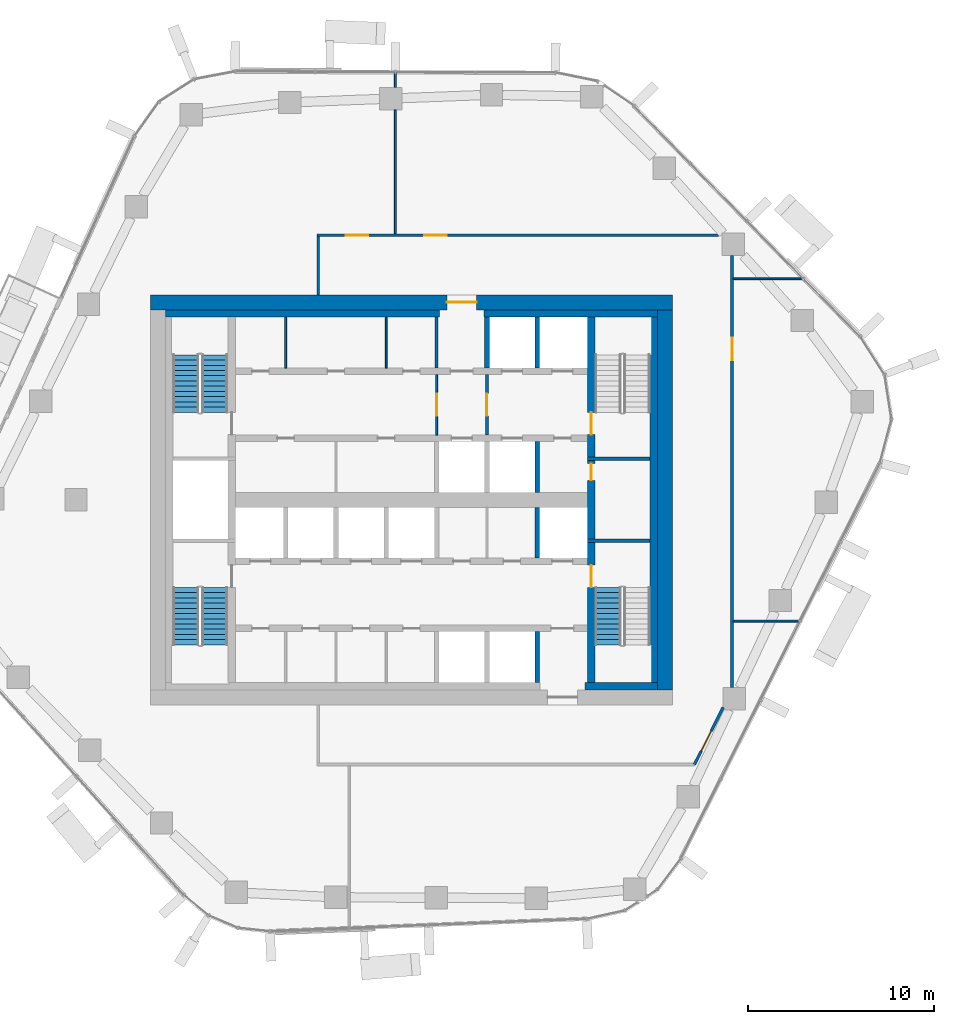
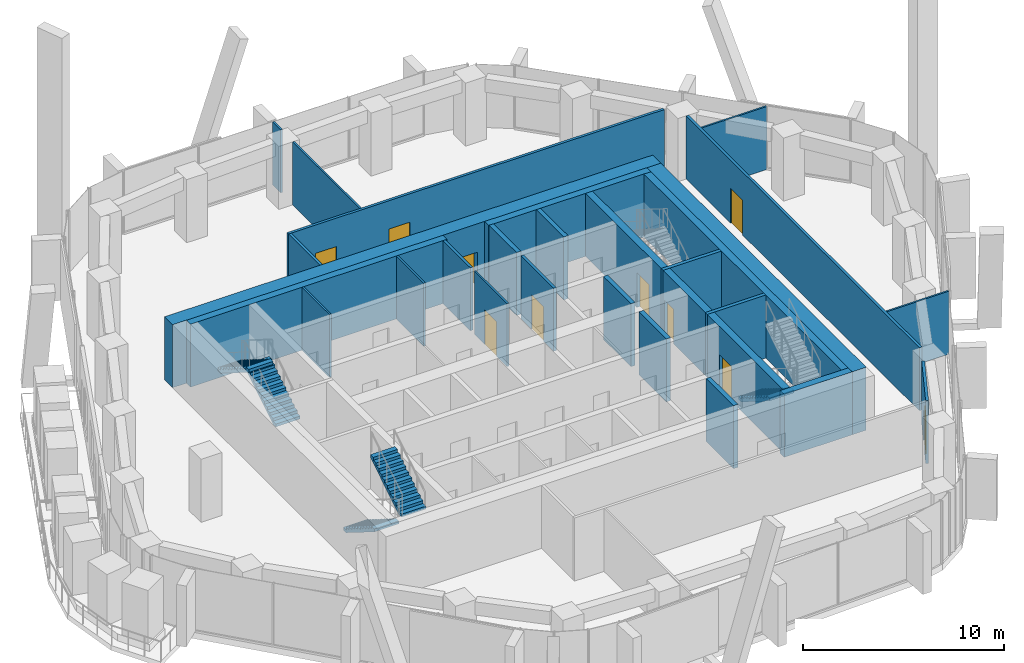
# One storey, part 13 of 19: 29 walls, 10 doors, 5 stair flights, 10 openings, 3 elements without a shape of their own.
"""IFC4 building model written with IfcOpenShell, lengths in metres."""

from ifc_helpers import new_model, si_unit, direction, frame, frame_2d, origin, place, context, subcontext, project, spatial, polyline, rectangle, outline, extrude, material, layer, layer_set, type_object, element, fill, aggregate, save


model = new_model("IFC4")

# Units and contexts
model_context = context("Model", 3, precision=1e-05, world=origin(), true_north=direction((0.0, 1.0)))
body_context = subcontext(model_context, "Body", "Model", "MODEL_VIEW")
ifc_project = project(units=[si_unit("LENGTHUNIT", "METRE"), si_unit("AREAUNIT", "SQUARE_METRE"), si_unit("VOLUMEUNIT", "CUBIC_METRE"), si_unit("PLANEANGLEUNIT", "RADIAN"), si_unit("MASSUNIT", "GRAM", prefix="KILO")], contexts=[model_context])

# Site, building, storey
site_placement = place(None, origin())
site = spatial("IfcSite", under=ifc_project, at=site_placement, CompositionType="ELEMENT")
building_placement = place(site_placement, origin())
building = spatial("IfcBuilding", under=site, at=building_placement, Name="Dongbaek Canopy Tower", CompositionType="ELEMENT")
storey_placement = place(building_placement, frame((0.0, 0.0, 198.800048828125)))
storey = spatial("IfcBuildingStorey", under=building, at=storey_placement, Name="L41", CompositionType="ELEMENT", Elevation=198.800048828125)

# Wall, opening, door
ifc_material_1 = material(Name="Concrete C70/85", Category="concrete")
ifc_layer_1 = layer(ifc_material_1, 0.800048828125)
ifc_layer_set_1 = layer_set([ifc_layer_1], Name="Core outer wall 800 Concrete C70/85")
wall_type_1 = type_object("IfcWallType", Name="Core outer wall 800 Concrete C70/85", PredefinedType="SHEAR", material=ifc_layer_set_1)
wall_1_placement = place(storey_placement, frame((-14.0, 10.60009765625, 0.0), z_axis=(0.0, 0.0, 1.0), x_axis=(1.0, 0.0, 0.0)))
wall_1 = element("IfcWall", 1, at=wall_1_placement, inside=storey, type_object=wall_type_1, Name="Core wall", PredefinedType="SHEAR", context=body_context, shape_type="SweptSolid", body=[
    extrude(rectangle(XDim=28.0, YDim=0.800048828125, at=frame_2d((14.0, 0.0))), origin(), (0.0, 0.0, 1.0), 3.820068359375),
])
opening_1_placement = place(wall_1_placement, frame((15.89990234375, 0.0, 0.0)))
opening_1 = element("IfcOpeningElement", 2, at=opening_1_placement, cuts=wall_1, Name="Opening L41-D006", PredefinedType="OPENING", context=body_context, shape_type="SweptSolid", body=[
    extrude(rectangle(XDim=1.60009765625, YDim=2.10009765625, at=frame_2d((0.800048828125, 1.050048828125))), frame((0.0, 0.409912109375, 0.0), z_axis=(0.0, -1.0, 0.0), x_axis=(1.0, 0.0, 0.0)), (0.0, 0.0, 1.0), 0.820068359375),
])
ifc_material_2 = material(Name="Steel", Category="steel")
door_type_1 = type_object("IfcDoorType", Name="Core exit door 1600 x 2100", OperationType="DOUBLE_DOOR_SINGLE_SWING", PredefinedType="DOOR", material=ifc_material_2)
door_1_placement = place(opening_1_placement, origin())
door_1 = element("IfcDoor", 3, at=door_1_placement, inside=storey, type_object=door_type_1, Name="Core exit door", OperationType="DOUBLE_DOOR_SINGLE_SWING", OverallHeight=2.10009765625, OverallWidth=1.60009765625, PredefinedType="DOOR", context=body_context, shape_type="SweptSolid", body=[
    extrude(rectangle(XDim=1.60009765625, YDim=2.10009765625, at=frame_2d((0.800048828125, 1.050048828125))), frame((0.0, 0.02490234375, 0.0), z_axis=(0.0, -1.0, 0.0), x_axis=(1.0, 0.0, 0.0)), (0.0, 0.0, 1.0), 0.050048828125),
])
fill(opening_1, door_1)

# Walls
wall_2_placement = place(storey_placement, frame((13.60009765625, 10.199951171875, 0.0), z_axis=(0.0, 0.0, 1.0), x_axis=(0.0, -1.0, 0.0)))
element("IfcWall", 4, at=wall_2_placement, inside=storey, type_object=wall_type_1, Name="Core wall", PredefinedType="SHEAR", context=body_context, shape_type="SweptSolid", body=[
    extrude(rectangle(XDim=20.39990234375, YDim=0.800048828125, at=frame_2d((10.199951171875, 0.0))), origin(), (0.0, 0.0, 1.0), 3.820068359375),
])
ifc_material_3 = material(Name="Concrete C60/75", Category="concrete")
ifc_layer_2 = layer(ifc_material_3, 0.39990234375)
ifc_layer_set_2 = layer_set([ifc_layer_2], Name="Core wall lining 400 Concrete C60/75")
wall_type_2 = type_object("IfcWallType", Name="Core wall lining 400 Concrete C60/75", PredefinedType="SHEAR", material=ifc_layer_set_2)
wall_3_placement = place(storey_placement, frame((-13.199951171875, 10.0, 0.0), z_axis=(0.0, 0.0, 1.0), x_axis=(1.0, 0.0, 0.0)))
element("IfcWall", 5, at=wall_3_placement, inside=storey, type_object=wall_type_2, Name="Core wall lining", PredefinedType="SHEAR", context=body_context, shape_type="SweptSolid", body=[
    extrude(rectangle(XDim=14.699951171875, YDim=0.39990234375, at=frame_2d((7.35009765625, 0.0))), origin(), (0.0, 0.0, 1.0), 3.820068359375),
])
wall_4_placement = place(storey_placement, frame((3.89990234375, 10.0, 0.0), z_axis=(0.0, 0.0, 1.0), x_axis=(1.0, 0.0, 0.0)))
element("IfcWall", 6, at=wall_4_placement, inside=storey, type_object=wall_type_2, Name="Core wall lining", PredefinedType="SHEAR", context=body_context, shape_type="SweptSolid", body=[
    extrude(rectangle(XDim=9.300048828125, YDim=0.39990234375, at=frame_2d((4.64990234375, 0.0))), origin(), (0.0, 0.0, 1.0), 3.820068359375),
])
wall_5_placement = place(storey_placement, frame((13.199951171875, -10.0, 0.0), z_axis=(0.0, 0.0, 1.0), x_axis=(-1.0, 0.0, 0.0)))
element("IfcWall", 7, at=wall_5_placement, inside=storey, type_object=wall_type_2, Name="Core wall lining", PredefinedType="SHEAR", context=body_context, shape_type="SweptSolid", body=[
    extrude(rectangle(XDim=3.89990234375, YDim=0.39990234375, at=frame_2d((1.949951171875, 0.0))), origin(), (0.0, 0.0, 1.0), 3.820068359375),
])
wall_6_placement = place(storey_placement, frame((13.0, 9.800048828125, 0.0), z_axis=(0.0, 0.0, 1.0), x_axis=(0.0, -1.0, 0.0)))
element("IfcWall", 8, at=wall_6_placement, inside=storey, type_object=wall_type_2, Name="Core wall lining", PredefinedType="SHEAR", context=body_context, shape_type="SweptSolid", body=[
    extrude(rectangle(XDim=19.60009765625, YDim=0.39990234375, at=frame_2d((9.800048828125, 0.0))), origin(), (0.0, 0.0, 1.0), 3.820068359375),
])

# Wall, openings, doors
ifc_material_4 = material(Name="Gypsum board partition, steel stud, 2 x 15 mm fire board", Category="steel")
ifc_layer_3 = layer(ifc_material_4, 0.14990234375)
ifc_layer_set_3 = layer_set([ifc_layer_3], Name="Fire-rated partition 150 gypsum board")
wall_type_3 = type_object("IfcWallType", Name="Fire-rated partition 150 gypsum board", PredefinedType="PARTITIONING", material=ifc_layer_set_3)
wall_7_placement = place(storey_placement, frame((-5.074951171875, 14.199951171875, 0.0), z_axis=(0.0, 0.0, 1.0), x_axis=(1.0, 0.0, 0.0)))
wall_7 = element("IfcWall", 9, at=wall_7_placement, inside=storey, type_object=wall_type_3, Name="Corridor partition", PredefinedType="PARTITIONING", context=body_context, shape_type="SweptSolid", body=[
    extrude(rectangle(XDim=21.551025390625, YDim=0.14990234375, at=frame_2d((10.775390625, 0.0))), origin(), (0.0, 0.0, 1.0), 3.820068359375),
])
opening_2_placement = place(wall_7_placement, frame((5.763916015625, 0.0, 0.0)))
opening_2 = element("IfcOpeningElement", 10, at=opening_2_placement, cuts=wall_7, Name="Opening L41-D003", PredefinedType="OPENING", context=body_context, shape_type="SweptSolid", body=[
    extrude(rectangle(XDim=1.199951171875, YDim=2.10009765625, at=frame_2d((0.60009765625, 1.050048828125))), frame((0.0, 0.0849609375, 0.0), z_axis=(0.0, -1.0, 0.0), x_axis=(1.0, 0.0, 0.0)), (0.0, 0.0, 1.0), 0.169921875),
])
opening_3_placement = place(wall_7_placement, frame((1.544677734375, 0.0, 0.0)))
opening_3 = element("IfcOpeningElement", 11, at=opening_3_placement, cuts=wall_7, Name="Opening L41-D004", PredefinedType="OPENING", context=body_context, shape_type="SweptSolid", body=[
    extrude(rectangle(XDim=1.199951171875, YDim=2.10009765625, at=frame_2d((0.60009765625, 1.050048828125))), frame((0.0, 0.0849609375, 0.0), z_axis=(0.0, -1.0, 0.0), x_axis=(1.0, 0.0, 0.0)), (0.0, 0.0, 1.0), 0.169921875),
])
ifc_material_5 = material(Name="Timber veneered door leaf", Category="wood")
door_type_2 = type_object("IfcDoorType", Name="Room door 1200 x 2100", OperationType="SINGLE_SWING_LEFT", PredefinedType="DOOR", material=ifc_material_5)
door_2_placement = place(opening_2_placement, origin())
door_2 = element("IfcDoor", 12, at=door_2_placement, inside=storey, type_object=door_type_2, Name="Door L41-D003", OperationType="SINGLE_SWING_RIGHT", OverallHeight=2.10009765625, OverallWidth=1.199951171875, PredefinedType="DOOR", context=body_context, shape_type="SweptSolid", body=[
    extrude(rectangle(XDim=1.199951171875, YDim=2.10009765625, at=frame_2d((0.60009765625, 1.050048828125))), frame((0.0, 0.02490234375, 0.0), z_axis=(0.0, -1.0, 0.0), x_axis=(1.0, 0.0, 0.0)), (0.0, 0.0, 1.0), 0.050048828125),
])
fill(opening_2, door_2)
door_3_placement = place(opening_3_placement, origin())
door_3 = element("IfcDoor", 13, at=door_3_placement, inside=storey, type_object=door_type_2, Name="Door L41-D004", OperationType="SINGLE_SWING_LEFT", OverallHeight=2.10009765625, OverallWidth=1.199951171875, PredefinedType="DOOR", context=body_context, shape_type="SweptSolid", body=[
    extrude(rectangle(XDim=1.199951171875, YDim=2.10009765625, at=frame_2d((0.60009765625, 1.050048828125))), frame((0.0, 0.02490234375, 0.0), z_axis=(0.0, -1.0, 0.0), x_axis=(1.0, 0.0, 0.0)), (0.0, 0.0, 1.0), 0.050048828125),
])
fill(opening_3, door_3)

# Wall, opening, door
wall_8_placement = place(storey_placement, frame((16.721923828125, -11.135986328125, 0.0), z_axis=(0.0, 0.0, 1.0), x_axis=(-0.449461267312, -0.893299820433, 0.0)))
wall_8 = element("IfcWall", 14, at=wall_8_placement, inside=storey, type_object=wall_type_3, Name="Corridor partition", PredefinedType="PARTITIONING", context=body_context, shape_type="SweptSolid", body=[
    extrude(rectangle(XDim=3.43017578125, YDim=0.14990234375, at=frame_2d((1.715087890625, 0.0))), origin(), (0.0, 0.0, 1.0), 3.820068359375),
])
opening_4_placement = place(wall_8_placement, frame((1.42138671875, 0.0, 0.0)))
opening_4 = element("IfcOpeningElement", 15, at=opening_4_placement, cuts=wall_8, Name="Opening L41-D001", PredefinedType="OPENING", context=body_context, shape_type="SweptSolid", body=[
    extrude(rectangle(XDim=1.199951171875, YDim=2.10009765625, at=frame_2d((0.60009765625, 1.050048828125))), frame((0.0, 0.0849609375, 0.0), z_axis=(0.0, -1.0, 0.0), x_axis=(1.0, 0.0, 0.0)), (0.0, 0.0, 1.0), 0.169921875),
])
door_4_placement = place(opening_4_placement, origin())
door_4 = element("IfcDoor", 16, at=door_4_placement, inside=storey, type_object=door_type_2, Name="Door L41-D001", OperationType="SINGLE_SWING_RIGHT", OverallHeight=2.10009765625, OverallWidth=1.199951171875, PredefinedType="DOOR", context=body_context, shape_type="SweptSolid", body=[
    extrude(rectangle(XDim=1.199951171875, YDim=2.10009765625, at=frame_2d((0.60009765625, 1.050048828125))), frame((0.0, 0.02490234375, 0.0), z_axis=(0.0, -1.0, 0.0), x_axis=(1.0, 0.0, 0.0)), (0.0, 0.0, 1.0), 0.050048828125),
])
fill(opening_4, door_4)

wall_9_placement = place(storey_placement, frame((17.199951171875, 13.10595703125, 0.0), z_axis=(0.0, 0.0, 1.0), x_axis=(0.0, -1.0, 0.0)))
wall_9 = element("IfcWall", 17, at=wall_9_placement, inside=storey, type_object=wall_type_3, Name="Corridor partition", PredefinedType="PARTITIONING", context=body_context, shape_type="SweptSolid", body=[
    extrude(rectangle(XDim=23.171875, YDim=0.14990234375, at=frame_2d((11.5859375, 0.0))), origin(), (0.0, 0.0, 1.0), 3.820068359375),
])
opening_5_placement = place(wall_9_placement, frame((4.41162109375, 0.0, 0.0)))
opening_5 = element("IfcOpeningElement", 18, at=opening_5_placement, cuts=wall_9, Name="Opening L41-D002", PredefinedType="OPENING", context=body_context, shape_type="SweptSolid", body=[
    extrude(rectangle(XDim=1.199951171875, YDim=2.10009765625, at=frame_2d((0.60009765625, 1.050048828125))), frame((0.0, 0.0849609375, 0.0), z_axis=(0.0, -1.0, 0.0), x_axis=(1.0, 0.0, 0.0)), (0.0, 0.0, 1.0), 0.169921875),
])
door_5_placement = place(opening_5_placement, origin())
door_5 = element("IfcDoor", 19, at=door_5_placement, inside=storey, type_object=door_type_2, Name="Door L41-D002", OperationType="SINGLE_SWING_LEFT", OverallHeight=2.10009765625, OverallWidth=1.199951171875, PredefinedType="DOOR", context=body_context, shape_type="SweptSolid", body=[
    extrude(rectangle(XDim=1.199951171875, YDim=2.10009765625, at=frame_2d((0.60009765625, 1.050048828125))), frame((0.0, 0.02490234375, 0.0), z_axis=(0.0, -1.0, 0.0), x_axis=(1.0, 0.0, 0.0)), (0.0, 0.0, 1.0), 0.050048828125),
])
fill(opening_5, door_5)

# Wall
wall_10_placement = place(storey_placement, frame((-5.0, 11.0, 0.0), z_axis=(0.0, 0.0, 1.0), x_axis=(0.0, 1.0, 0.0)))
element("IfcWall", 20, at=wall_10_placement, inside=storey, type_object=wall_type_3, Name="Corridor partition", PredefinedType="PARTITIONING", context=body_context, shape_type="SweptSolid", body=[
    extrude(rectangle(XDim=3.125, YDim=0.14990234375, at=frame_2d((1.5625, 0.0))), origin(), (0.0, 0.0, 1.0), 3.820068359375),
])

# Wall, opening, door
wall_11_placement = place(storey_placement, frame((4.050048828125, 6.72509765625, 0.0), z_axis=(0.0, 0.0, 1.0), x_axis=(0.0, -1.0, 0.0)))
wall_11 = element("IfcWall", 21, at=wall_11_placement, inside=storey, type_object=wall_type_3, Name="Fire lobby partition", PredefinedType="PARTITIONING", context=body_context, shape_type="SweptSolid", body=[
    extrude(rectangle(XDim=3.25, YDim=0.14990234375, at=frame_2d((1.625, 0.0))), origin(), (0.0, 0.0, 1.0), 3.820068359375),
])
opening_6_placement = place(wall_11_placement, frame((1.02490234375, 0.0, 0.0)))
opening_6 = element("IfcOpeningElement", 22, at=opening_6_placement, cuts=wall_11, Name="Opening L41-D036", PredefinedType="OPENING", context=body_context, shape_type="SweptSolid", body=[
    extrude(rectangle(XDim=1.199951171875, YDim=2.10009765625, at=frame_2d((0.60009765625, 1.050048828125))), frame((0.0, 0.0849609375, 0.0), z_axis=(0.0, -1.0, 0.0), x_axis=(1.0, 0.0, 0.0)), (0.0, 0.0, 1.0), 0.169921875),
])
ifc_material_6 = material(Name="Steel", Category="steel")
door_type_3 = type_object("IfcDoorType", Name="Fire lobby door 1200 x 2100", OperationType="SINGLE_SWING_LEFT", PredefinedType="DOOR", material=ifc_material_6)
door_6_placement = place(opening_6_placement, origin())
door_6 = element("IfcDoor", 23, at=door_6_placement, inside=storey, type_object=door_type_3, Name="Door L41-D036", OperationType="SINGLE_SWING_RIGHT", OverallHeight=2.10009765625, OverallWidth=1.199951171875, PredefinedType="DOOR", context=body_context, shape_type="SweptSolid", body=[
    extrude(rectangle(XDim=1.199951171875, YDim=2.10009765625, at=frame_2d((0.60009765625, 1.050048828125))), frame((0.0, 0.02490234375, 0.0), z_axis=(0.0, -1.0, 0.0), x_axis=(1.0, 0.0, 0.0)), (0.0, 0.0, 1.0), 0.050048828125),
])
fill(opening_6, door_6)

# Walls
wall_12_placement = place(storey_placement, frame((1.35009765625, 7.074951171875, 0.0), z_axis=(0.0, 0.0, 1.0), x_axis=(0.0, 1.0, 0.0)))
element("IfcWall", 24, at=wall_12_placement, inside=storey, type_object=wall_type_3, Name="Fire lobby partition", PredefinedType="PARTITIONING", context=body_context, shape_type="SweptSolid", body=[
    extrude(rectangle(XDim=2.72509765625, YDim=0.14990234375, at=frame_2d((1.362548828125, 0.0))), origin(), (0.0, 0.0, 1.0), 3.820068359375),
])
ifc_material_7 = material(Name="Concrete C40/50", Category="concrete")
ifc_layer_4 = layer(ifc_material_7, 0.25)
ifc_layer_set_4 = layer_set([ifc_layer_4], Name="Lift shaft wall 250 Concrete C40/50")
wall_type_4 = type_object("IfcWallType", Name="Lift shaft wall 250 Concrete C40/50", PredefinedType="SOLIDWALL", material=ifc_layer_set_4)
for number, where, z_axis, x_axis, name in (
    (25, (6.75, -9.800048828125, 0.0), (0.0, 0.0, 1.0), (0.0, 1.0, 0.0), "Lift shaft wall"),
    (26, (6.75, -3.125, 0.0), (0.0, 0.0, 1.0), (0.0, 1.0, 0.0), "Lift shaft wall"),
    (27, (6.75, 0.39990234375, 0.0), (0.0, 0.0, 1.0), (0.0, 1.0, 0.0), "Lift shaft wall"),
    (28, (6.75, 7.074951171875, 0.0), (0.0, 0.0, 1.0), (0.0, 1.0, 0.0), "Lift shaft wall"),
    (29, (4.050048828125, 7.074951171875, 0.0), (0.0, 0.0, 1.0), (0.0, 1.0, 0.0), "Lift shaft wall"),
):
    element("IfcWall", number, at=place(storey_placement, frame(where, z_axis=z_axis, x_axis=x_axis)), inside=storey, type_object=wall_type_4, Name=name, PredefinedType="SOLIDWALL", context=body_context, shape_type="SweptSolid", body=[
        extrude(rectangle(XDim=2.72509765625, YDim=0.25, at=frame_2d((1.362548828125, 0.0))), origin(), (0.0, 0.0, 1.0), 3.820068359375),
    ])
ifc_material_8 = material(Name="Gypsum board partition, steel stud, 2 x 12.5 mm board", Category="steel")
ifc_layer_5 = layer(ifc_material_8, 0.10009765625)
ifc_layer_set_5 = layer_set([ifc_layer_5], Name="Partition 100 gypsum board")
wall_type_5 = type_object("IfcWallType", Name="Partition 100 gypsum board", PredefinedType="PARTITIONING", material=ifc_layer_set_5)
wall_13_placement = place(storey_placement, frame((17.27490234375, -6.506103515625, 0.0), z_axis=(0.0, 0.0, 1.0), x_axis=(1.0, 0.0, 0.0)))
element("IfcWall", 30, at=wall_13_placement, inside=storey, type_object=wall_type_5, Name="Partition", PredefinedType="PARTITIONING", context=body_context, shape_type="SweptSolid", body=[
    extrude(rectangle(XDim=3.567626953125, YDim=0.10009765625, at=frame_2d((1.78369140625, 0.0))), origin(), (0.0, 0.0, 1.0), 3.820068359375),
])
wall_14_placement = place(storey_placement, frame((17.27490234375, 11.862060546875, 0.0), z_axis=(0.0, 0.0, 1.0), x_axis=(1.0, 0.0, 0.0)))
element("IfcWall", 31, at=wall_14_placement, inside=storey, type_object=wall_type_5, Name="Partition", PredefinedType="PARTITIONING", context=body_context, shape_type="SweptSolid", body=[
    extrude(rectangle(XDim=3.73681640625, YDim=0.10009765625, at=frame_2d((1.868408203125, 0.0))), origin(), (0.0, 0.0, 1.0), 3.820068359375),
])
wall_15_placement = place(storey_placement, frame((-0.861083984375, 14.27490234375, 0.0), z_axis=(0.0, 0.0, 1.0), x_axis=(0.0, 1.0, 0.0)))
element("IfcWall", 32, at=wall_15_placement, inside=storey, type_object=wall_type_5, Name="Partition", PredefinedType="PARTITIONING", context=body_context, shape_type="SweptSolid", body=[
    extrude(rectangle(XDim=6.655029296875, YDim=0.10009765625, at=frame_2d((3.32763671875, 0.0))), origin(), (0.0, 0.0, 1.0), 3.820068359375),
])
wall_16_placement = place(storey_placement, frame((-0.861083984375, 22.1298828125, 0.0), z_axis=(0.0, 0.0, 1.0), x_axis=(0.0, 1.0, 0.0)))
element("IfcWall", 33, at=wall_16_placement, inside=storey, type_object=wall_type_5, Name="Partition", PredefinedType="PARTITIONING", context=body_context, shape_type="SweptSolid", body=[
    extrude(rectangle(XDim=0.798583984375, YDim=0.10009765625, at=frame_2d((0.3994140625, 0.0))), origin(), (0.0, 0.0, 1.0), 3.820068359375),
])

# Wall, opening, door
wall_17_placement = place(storey_placement, frame((1.35009765625, 6.72509765625, 0.0), z_axis=(0.0, 0.0, 1.0), x_axis=(0.0, -1.0, 0.0)))
wall_17 = element("IfcWall", 34, at=wall_17_placement, inside=storey, type_object=wall_type_5, Name="Core partition", PredefinedType="PARTITIONING", context=body_context, shape_type="SweptSolid", body=[
    extrude(rectangle(XDim=3.25, YDim=0.10009765625, at=frame_2d((1.625, 0.0))), origin(), (0.0, 0.0, 1.0), 3.820068359375),
])
opening_7_placement = place(wall_17_placement, frame((1.02490234375, 0.0, 0.0)))
opening_7 = element("IfcOpeningElement", 35, at=opening_7_placement, cuts=wall_17, Name="Opening L41-D035", PredefinedType="OPENING", context=body_context, shape_type="SweptSolid", body=[
    extrude(rectangle(XDim=1.199951171875, YDim=2.10009765625, at=frame_2d((0.60009765625, 1.050048828125))), frame((0.0, 0.06005859375, 0.0), z_axis=(0.0, -1.0, 0.0), x_axis=(1.0, 0.0, 0.0)), (0.0, 0.0, 1.0), 0.1201171875),
])
door_7_placement = place(opening_7_placement, origin())
door_7 = element("IfcDoor", 36, at=door_7_placement, inside=storey, type_object=door_type_3, Name="Door L41-D035", OperationType="SINGLE_SWING_LEFT", OverallHeight=2.10009765625, OverallWidth=1.199951171875, PredefinedType="DOOR", context=body_context, shape_type="SweptSolid", body=[
    extrude(rectangle(XDim=1.199951171875, YDim=2.10009765625, at=frame_2d((0.60009765625, 1.050048828125))), frame((0.0, 0.02490234375, 0.0), z_axis=(0.0, -1.0, 0.0), x_axis=(1.0, 0.0, 0.0)), (0.0, 0.0, 1.0), 0.050048828125),
])
fill(opening_7, door_7)

# Walls
for number, where, z_axis, x_axis, name in (
    (37, (-1.35009765625, 7.074951171875, 0.0), (0.0, 0.0, 1.0), (0.0, 1.0, 0.0), "Core partition"),
    (38, (-6.75, 7.074951171875, 0.0), (0.0, 0.0, 1.0), (0.0, 1.0, 0.0), "Core partition"),
):
    element("IfcWall", number, at=place(storey_placement, frame(where, z_axis=z_axis, x_axis=x_axis)), inside=storey, type_object=wall_type_5, Name=name, PredefinedType="PARTITIONING", context=body_context, shape_type="SweptSolid", body=[
        extrude(rectangle(XDim=2.72509765625, YDim=0.10009765625, at=frame_2d((1.362548828125, 0.0))), origin(), (0.0, 0.0, 1.0), 3.820068359375),
    ])
ifc_material_9 = material(Name="Concrete C60/75", Category="concrete")
ifc_layer_6 = layer(ifc_material_9, 0.199951171875)
ifc_layer_set_6 = layer_set([ifc_layer_6], Name="Riser wall 200 Concrete C60/75")
wall_type_6 = type_object("IfcWallType", Name="Riser wall 200 Concrete C60/75", PredefinedType="SHEAR", material=ifc_layer_set_6)
for number, where, z_axis, x_axis, name in (
    (39, (9.449951171875, 2.199951171875, 0.0), (0.0, 0.0, 1.0), (1.0, 0.0, 0.0), "Riser wall"),
    (40, (9.449951171875, -2.199951171875, 0.0), (0.0, 0.0, 1.0), (1.0, 0.0, 0.0), "Riser wall"),
):
    element("IfcWall", number, at=place(storey_placement, frame(where, z_axis=z_axis, x_axis=x_axis)), inside=storey, type_object=wall_type_6, Name=name, PredefinedType="SHEAR", context=body_context, shape_type="SweptSolid", body=[
        extrude(rectangle(XDim=3.35009765625, YDim=0.199951171875, at=frame_2d((1.675048828125, 0.0))), origin(), (0.0, 0.0, 1.0), 3.820068359375),
    ])

# Wall, opening, door
ifc_material_10 = material(Name="Concrete C60/75", Category="concrete")
ifc_layer_7 = layer(ifc_material_10, 0.39990234375)
ifc_layer_set_7 = layer_set([ifc_layer_7], Name="Stair wall 400 Concrete C60/75")
wall_type_7 = type_object("IfcWallType", Name="Stair wall 400 Concrete C60/75", PredefinedType="SHEAR", material=ifc_layer_set_7)
wall_18_placement = place(storey_placement, frame((9.64990234375, -2.300048828125, 0.0), z_axis=(0.0, 0.0, 1.0), x_axis=(0.0, -1.0, 0.0)))
wall_18 = element("IfcWall", 41, at=wall_18_placement, inside=storey, type_object=wall_type_7, Name="Stair wall", PredefinedType="SHEAR", context=body_context, shape_type="SweptSolid", body=[
    extrude(rectangle(XDim=7.5, YDim=0.39990234375, at=frame_2d((3.75, 0.0))), origin(), (0.0, 0.0, 1.0), 3.820068359375),
])
opening_8_placement = place(wall_18_placement, frame((1.199951171875, 0.0, 0.0)))
opening_8 = element("IfcOpeningElement", 42, at=opening_8_placement, cuts=wall_18, Name="Opening L41-D033", PredefinedType="OPENING", context=body_context, shape_type="SweptSolid", body=[
    extrude(rectangle(XDim=1.199951171875, YDim=2.10009765625, at=frame_2d((0.60009765625, 1.050048828125))), frame((0.0, 0.2099609375, 0.0), z_axis=(0.0, -1.0, 0.0), x_axis=(1.0, 0.0, 0.0)), (0.0, 0.0, 1.0), 0.419921875),
])
ifc_material_11 = material(Name="Steel", Category="steel")
door_type_4 = type_object("IfcDoorType", Name="Stair door 1200 x 2100", OperationType="SINGLE_SWING_LEFT", PredefinedType="DOOR", material=ifc_material_11)
door_8_placement = place(opening_8_placement, origin())
door_8 = element("IfcDoor", 43, at=door_8_placement, inside=storey, type_object=door_type_4, Name="Stair B door", OperationType="SINGLE_SWING_RIGHT", OverallHeight=2.10009765625, OverallWidth=1.199951171875, PredefinedType="DOOR", context=body_context, shape_type="SweptSolid", body=[
    extrude(rectangle(XDim=1.199951171875, YDim=2.10009765625, at=frame_2d((0.60009765625, 1.050048828125))), frame((0.0, 0.02490234375, 0.0), z_axis=(0.0, -1.0, 0.0), x_axis=(1.0, 0.0, 0.0)), (0.0, 0.0, 1.0), 0.050048828125),
])
fill(opening_8, door_8)

wall_19_placement = place(storey_placement, frame((9.64990234375, 2.10009765625, 0.0), z_axis=(0.0, 0.0, 1.0), x_axis=(0.0, -1.0, 0.0)))
wall_19 = element("IfcWall", 44, at=wall_19_placement, inside=storey, type_object=wall_type_7, Name="Stair wall", PredefinedType="SHEAR", context=body_context, shape_type="SweptSolid", body=[
    extrude(rectangle(XDim=4.2001953125, YDim=0.39990234375, at=frame_2d((2.10009765625, 0.0))), origin(), (0.0, 0.0, 1.0), 3.820068359375),
])
opening_9_placement = place(wall_19_placement, frame((0.14990234375, 0.0, 0.0)))
opening_9 = element("IfcOpeningElement", 45, at=opening_9_placement, cuts=wall_19, Name="Opening L41-D005", PredefinedType="OPENING", context=body_context, shape_type="SweptSolid", body=[
    extrude(rectangle(XDim=0.89990234375, YDim=2.10009765625, at=frame_2d((0.449951171875, 1.050048828125))), frame((0.0, 0.2099609375, 0.0), z_axis=(0.0, -1.0, 0.0), x_axis=(1.0, 0.0, 0.0)), (0.0, 0.0, 1.0), 0.419921875),
])
ifc_material_12 = material(Name="Steel", Category="steel")
door_type_5 = type_object("IfcDoorType", Name="Core room door 900 x 2100", OperationType="SINGLE_SWING_LEFT", PredefinedType="DOOR", material=ifc_material_12)
door_9_placement = place(opening_9_placement, origin())
door_9 = element("IfcDoor", 46, at=door_9_placement, inside=storey, type_object=door_type_5, Name="Door L41-D005", OperationType="SINGLE_SWING_RIGHT", OverallHeight=2.10009765625, OverallWidth=0.89990234375, PredefinedType="DOOR", context=body_context, shape_type="SweptSolid", body=[
    extrude(rectangle(XDim=0.89990234375, YDim=2.10009765625, at=frame_2d((0.449951171875, 1.050048828125))), frame((0.0, 0.02490234375, 0.0), z_axis=(0.0, -1.0, 0.0), x_axis=(1.0, 0.0, 0.0)), (0.0, 0.0, 1.0), 0.050048828125),
])
fill(opening_9, door_9)

wall_20_placement = place(storey_placement, frame((9.64990234375, 9.800048828125, 0.0), z_axis=(0.0, 0.0, 1.0), x_axis=(0.0, -1.0, 0.0)))
wall_20 = element("IfcWall", 47, at=wall_20_placement, inside=storey, type_object=wall_type_7, Name="Stair wall", PredefinedType="SHEAR", context=body_context, shape_type="SweptSolid", body=[
    extrude(rectangle(XDim=7.5, YDim=0.39990234375, at=frame_2d((3.75, 0.0))), origin(), (0.0, 0.0, 1.0), 3.820068359375),
])
opening_10_placement = place(wall_20_placement, frame((5.10009765625, 0.0, 0.0)))
opening_10 = element("IfcOpeningElement", 48, at=opening_10_placement, cuts=wall_20, Name="Opening L41-D031", PredefinedType="OPENING", context=body_context, shape_type="SweptSolid", body=[
    extrude(rectangle(XDim=1.199951171875, YDim=2.10009765625, at=frame_2d((0.60009765625, 1.050048828125))), frame((0.0, 0.2099609375, 0.0), z_axis=(0.0, -1.0, 0.0), x_axis=(1.0, 0.0, 0.0)), (0.0, 0.0, 1.0), 0.419921875),
])
door_10_placement = place(opening_10_placement, origin())
door_10 = element("IfcDoor", 49, at=door_10_placement, inside=storey, type_object=door_type_4, Name="Stair A door", OperationType="SINGLE_SWING_LEFT", OverallHeight=2.10009765625, OverallWidth=1.199951171875, PredefinedType="DOOR", context=body_context, shape_type="SweptSolid", body=[
    extrude(rectangle(XDim=1.199951171875, YDim=2.10009765625, at=frame_2d((0.60009765625, 1.050048828125))), frame((0.0, 0.02490234375, 0.0), z_axis=(0.0, -1.0, 0.0), x_axis=(1.0, 0.0, 0.0)), (0.0, 0.0, 1.0), 0.050048828125),
])
fill(opening_10, door_10)

# Stair, stair flights
ifc_material_13 = material(Name="Concrete C40/50", Category="concrete")
stair_type = type_object("IfcStairType", Name="Core exit stair", PredefinedType="HALF_TURN_STAIR", material=ifc_material_13)
stair_1_placement = place(storey_placement, origin())
stair_1 = element("IfcStair", 50, at=stair_1_placement, inside=storey, type_object=stair_type, Name="L41 exit stair C", PredefinedType="HALF_TURN_STAIR")
ifc_material_14 = material(Name="Concrete C40/50", Category="concrete")
ifc_layer_8 = layer(ifc_material_14, 0.14990234375)
ifc_layer_set_8 = layer_set([ifc_layer_8], Name="Core stair flight 150 waist")
stair_flight_type = type_object("IfcStairFlightType", Name="Core stair flight 150 waist", PredefinedType="STRAIGHT", material=ifc_layer_set_8)
stair_flight_1_placement = place(storey_placement, frame((-10.550048828125, 4.699951171875, 0.0), z_axis=(0.0, 0.0, 1.0), x_axis=(0.0, 1.0, 0.0)))
stair_flight_1 = element("IfcStairFlight", 51, at=stair_flight_1_placement, type_object=stair_flight_type, Name="ST-C flight 1", NumberOfRisers=12, NumberOfTreads=11, PredefinedType="STRAIGHT", RiserHeight=0.175, TreadLength=0.28, context=body_context, shape_type="SweptSolid", body=[
    extrude(outline(polyline([(0.0, 0.0), (0.0, 0.175048828125), (0.280029296875, 0.175048828125), (0.280029296875, 0.35009765625), (0.56005859375, 0.35009765625), (0.56005859375, 0.52490234375), (0.840087890625, 0.52490234375), (0.840087890625, 0.699951171875), (1.1201171875, 0.699951171875), (1.1201171875, 0.875), (1.39990234375, 0.875), (1.39990234375, 1.050048828125), (1.679931640625, 1.050048828125), (1.679931640625, 1.22509765625), (1.9599609375, 1.22509765625), (1.9599609375, 1.39990234375), (2.239990234375, 1.39990234375), (2.239990234375, 1.574951171875), (2.52001953125, 1.574951171875), (2.52001953125, 1.75), (2.800048828125, 1.75), (2.800048828125, 1.925048828125), (3.080078125, 1.925048828125), (3.080078125, 2.10009765625), (3.080078125, 1.748291015625), (0.28271484375, 0.0), (0.0, 0.0)])), frame((0.0, 0.699951171875, 0.0), z_axis=(0.0, -1.0, 0.0), x_axis=(1.0, 0.0, 0.0)), (0.0, 0.0, 1.0), 1.39990234375),
])
stair_flight_2_placement = place(storey_placement, frame((-12.10009765625, 7.780029296875, 2.099853515625), z_axis=(0.0, 0.0, 1.0), x_axis=(0.0, -1.0, 0.0)))
stair_flight_2 = element("IfcStairFlight", 52, at=stair_flight_2_placement, type_object=stair_flight_type, Name="ST-C flight 2", NumberOfRisers=12, NumberOfTreads=11, PredefinedType="STRAIGHT", RiserHeight=0.175, TreadLength=0.28, context=body_context, shape_type="SweptSolid", body=[
    extrude(outline(polyline([(0.0, 0.0), (0.0, 0.175048828125), (0.280029296875, 0.175048828125), (0.280029296875, 0.35009765625), (0.56005859375, 0.35009765625), (0.56005859375, 0.52490234375), (0.840087890625, 0.52490234375), (0.840087890625, 0.699951171875), (1.1201171875, 0.699951171875), (1.1201171875, 0.875), (1.39990234375, 0.875), (1.39990234375, 1.050048828125), (1.679931640625, 1.050048828125), (1.679931640625, 1.22509765625), (1.9599609375, 1.22509765625), (1.9599609375, 1.39990234375), (2.239990234375, 1.39990234375), (2.239990234375, 1.574951171875), (2.52001953125, 1.574951171875), (2.52001953125, 1.75), (2.800048828125, 1.75), (2.800048828125, 1.925048828125), (3.080078125, 1.925048828125), (3.080078125, 2.10009765625), (3.080078125, 1.748291015625), (0.28271484375, 0.0), (0.0, 0.0)])), frame((0.0, 0.699951171875, 0.0), z_axis=(0.0, -1.0, 0.0), x_axis=(1.0, 0.0, 0.0)), (0.0, 0.0, 1.0), 1.39990234375),
])
aggregate(stair_1, [stair_flight_1, stair_flight_2])

# Stair, stair flight
stair_2_placement = place(storey_placement, origin())
stair_2 = element("IfcStair", 53, at=stair_2_placement, inside=storey, type_object=stair_type, Name="L41 exit stair B", PredefinedType="HALF_TURN_STAIR")
stair_flight_3_placement = place(storey_placement, frame((10.550048828125, -4.699951171875, 0.0), z_axis=(0.0, 0.0, 1.0), x_axis=(0.0, -1.0, 0.0)))
stair_flight_3 = element("IfcStairFlight", 54, at=stair_flight_3_placement, type_object=stair_flight_type, Name="ST-B flight 1", NumberOfRisers=12, NumberOfTreads=11, PredefinedType="STRAIGHT", RiserHeight=0.175, TreadLength=0.28, context=body_context, shape_type="SweptSolid", body=[
    extrude(outline(polyline([(0.0, 0.0), (0.0, 0.175048828125), (0.280029296875, 0.175048828125), (0.280029296875, 0.35009765625), (0.56005859375, 0.35009765625), (0.56005859375, 0.52490234375), (0.840087890625, 0.52490234375), (0.840087890625, 0.699951171875), (1.1201171875, 0.699951171875), (1.1201171875, 0.875), (1.39990234375, 0.875), (1.39990234375, 1.050048828125), (1.679931640625, 1.050048828125), (1.679931640625, 1.22509765625), (1.9599609375, 1.22509765625), (1.9599609375, 1.39990234375), (2.239990234375, 1.39990234375), (2.239990234375, 1.574951171875), (2.52001953125, 1.574951171875), (2.52001953125, 1.75), (2.800048828125, 1.75), (2.800048828125, 1.925048828125), (3.080078125, 1.925048828125), (3.080078125, 2.10009765625), (3.080078125, 1.748291015625), (0.28271484375, 0.0), (0.0, 0.0)])), frame((0.0, 0.699951171875, 0.0), z_axis=(0.0, -1.0, 0.0), x_axis=(1.0, 0.0, 0.0)), (0.0, 0.0, 1.0), 1.39990234375),
])
aggregate(stair_2, [stair_flight_3])

# Stair, stair flights
stair_3_placement = place(storey_placement, origin())
stair_3 = element("IfcStair", 55, at=stair_3_placement, inside=storey, type_object=stair_type, Name="L41 exit stair D", PredefinedType="HALF_TURN_STAIR")
stair_flight_4_placement = place(storey_placement, frame((-12.10009765625, -4.699951171875, 0.0), z_axis=(0.0, 0.0, 1.0), x_axis=(0.0, -1.0, 0.0)))
stair_flight_4 = element("IfcStairFlight", 56, at=stair_flight_4_placement, type_object=stair_flight_type, Name="ST-D flight 1", NumberOfRisers=12, NumberOfTreads=11, PredefinedType="STRAIGHT", RiserHeight=0.175, TreadLength=0.28, context=body_context, shape_type="SweptSolid", body=[
    extrude(outline(polyline([(0.0, 0.0), (0.0, 0.175048828125), (0.280029296875, 0.175048828125), (0.280029296875, 0.35009765625), (0.56005859375, 0.35009765625), (0.56005859375, 0.52490234375), (0.840087890625, 0.52490234375), (0.840087890625, 0.699951171875), (1.1201171875, 0.699951171875), (1.1201171875, 0.875), (1.39990234375, 0.875), (1.39990234375, 1.050048828125), (1.679931640625, 1.050048828125), (1.679931640625, 1.22509765625), (1.9599609375, 1.22509765625), (1.9599609375, 1.39990234375), (2.239990234375, 1.39990234375), (2.239990234375, 1.574951171875), (2.52001953125, 1.574951171875), (2.52001953125, 1.75), (2.800048828125, 1.75), (2.800048828125, 1.925048828125), (3.080078125, 1.925048828125), (3.080078125, 2.10009765625), (3.080078125, 1.748291015625), (0.28271484375, 0.0), (0.0, 0.0)])), frame((0.0, 0.699951171875, 0.0), z_axis=(0.0, -1.0, 0.0), x_axis=(1.0, 0.0, 0.0)), (0.0, 0.0, 1.0), 1.39990234375),
])
stair_flight_5_placement = place(storey_placement, frame((-10.550048828125, -7.780029296875, 2.099853515625), z_axis=(0.0, 0.0, 1.0), x_axis=(0.0, 1.0, 0.0)))
stair_flight_5 = element("IfcStairFlight", 57, at=stair_flight_5_placement, type_object=stair_flight_type, Name="ST-D flight 2", NumberOfRisers=12, NumberOfTreads=11, PredefinedType="STRAIGHT", RiserHeight=0.175, TreadLength=0.28, context=body_context, shape_type="SweptSolid", body=[
    extrude(outline(polyline([(0.0, 0.0), (0.0, 0.175048828125), (0.280029296875, 0.175048828125), (0.280029296875, 0.35009765625), (0.56005859375, 0.35009765625), (0.56005859375, 0.52490234375), (0.840087890625, 0.52490234375), (0.840087890625, 0.699951171875), (1.1201171875, 0.699951171875), (1.1201171875, 0.875), (1.39990234375, 0.875), (1.39990234375, 1.050048828125), (1.679931640625, 1.050048828125), (1.679931640625, 1.22509765625), (1.9599609375, 1.22509765625), (1.9599609375, 1.39990234375), (2.239990234375, 1.39990234375), (2.239990234375, 1.574951171875), (2.52001953125, 1.574951171875), (2.52001953125, 1.75), (2.800048828125, 1.75), (2.800048828125, 1.925048828125), (3.080078125, 1.925048828125), (3.080078125, 2.10009765625), (3.080078125, 1.748291015625), (0.28271484375, 0.0), (0.0, 0.0)])), frame((0.0, 0.699951171875, 0.0), z_axis=(0.0, -1.0, 0.0), x_axis=(1.0, 0.0, 0.0)), (0.0, 0.0, 1.0), 1.39990234375),
])
aggregate(stair_3, [stair_flight_4, stair_flight_5])

save(model, "model.ifc")
